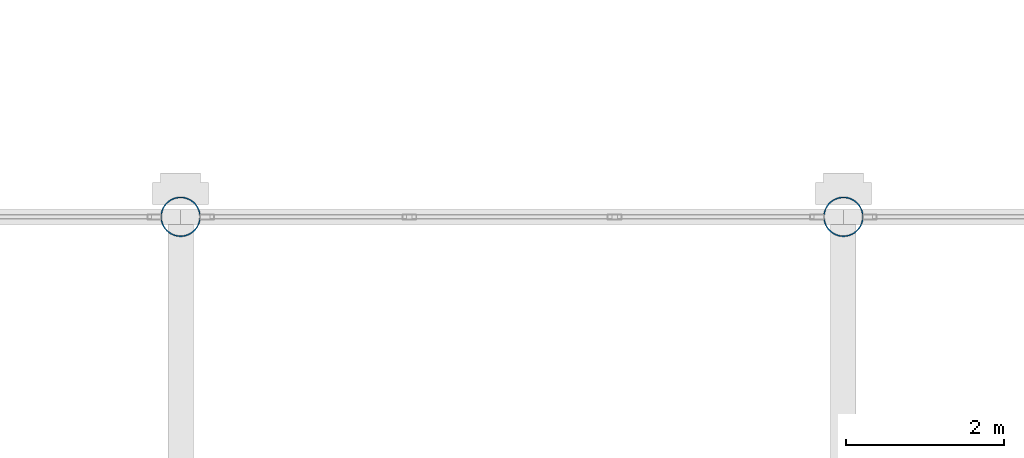
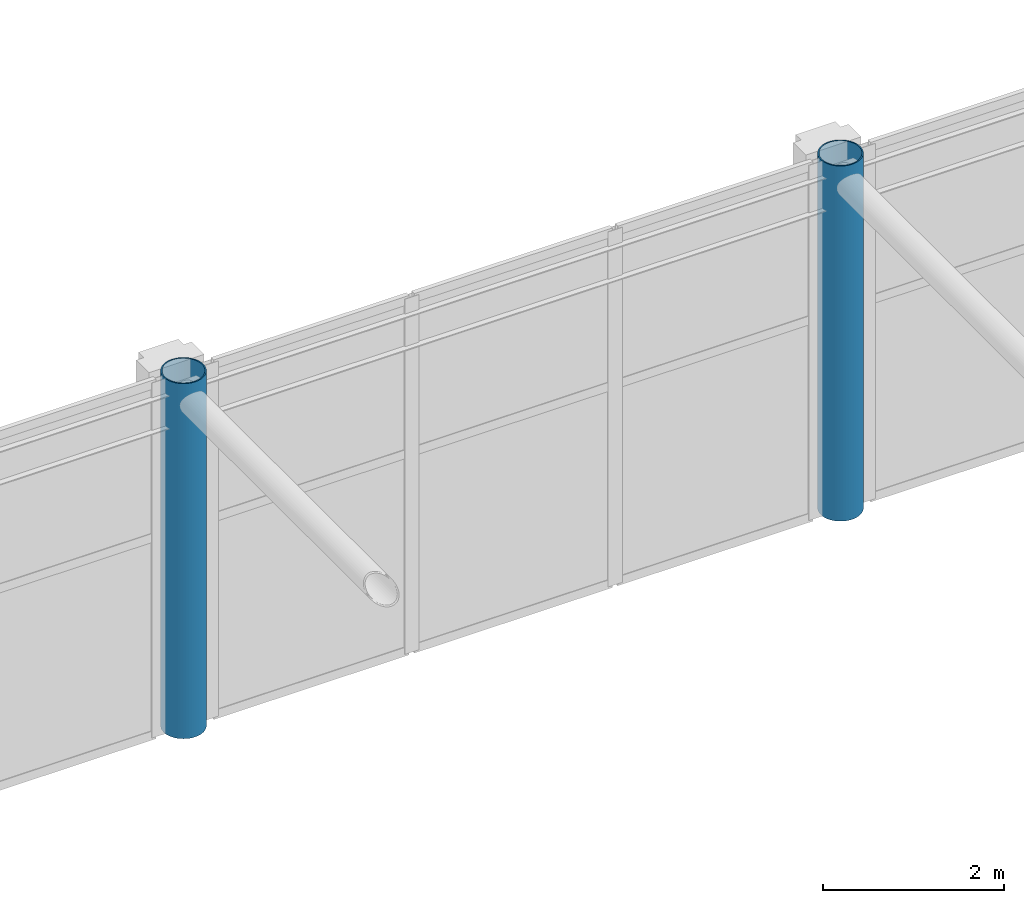
# One storey, part 7 of 167: 2 columns.
"""IFC4 building model written with IfcOpenShell, lengths in metres."""

from ifc_helpers import new_model, si_unit, direction, frame, origin, origin_2d, place, context, subcontext, project, spatial, hollow_circle, extrude, material, material_profile, profile_set, type_object, element, save


model = new_model("IFC4")

# Units and contexts
model_context = context("Model", 3, precision=1e-05, world=origin(), true_north=direction((0.0, 1.0)))
body_context = subcontext(model_context, "Body", "Model", "MODEL_VIEW")
ifc_project = project(units=[si_unit("LENGTHUNIT", "METRE"), si_unit("AREAUNIT", "SQUARE_METRE"), si_unit("VOLUMEUNIT", "CUBIC_METRE"), si_unit("PLANEANGLEUNIT", "RADIAN"), si_unit("MASSUNIT", "GRAM", prefix="KILO")], contexts=[model_context])

# Site, building, storey
site_placement = place(None, origin())
site = spatial("IfcSite", under=ifc_project, at=site_placement, CompositionType="ELEMENT")
building_placement = place(site_placement, origin())
building = spatial("IfcBuilding", under=site, at=building_placement, Name="Catenary Quay Ferry Terminal", CompositionType="ELEMENT")
storey_placement = place(building_placement, frame((0.0, 0.0, 6.0)))
storey = spatial("IfcBuildingStorey", under=building, at=storey_placement, Name="L01", CompositionType="ELEMENT", Elevation=6.0)

# Columns
ifc_material = material(Name="Steel S355", Category="steel")
ifc_material_profile = material_profile(ifc_material, hollow_circle(Radius=0.25390625, WallThickness=0.01611328125, at=origin_2d()), Name="CHS 508x16")
ifc_profile_set = profile_set([ifc_material_profile], Name="Steel S355")
column_type = type_object("IfcColumnType", Name="C4 CHS 508x16", PredefinedType="COLUMN", material=ifc_profile_set)
for number, where, z_axis, x_axis, name in (
    (1, (58.800048828125, 142.800048828125, 0.0), (0.0, 0.0, 1.0), (1.0, 0.0, 0.0), "Column C-H18 L01"),
    (2, (67.199951171875, 142.800048828125, 0.0), (0.0, 0.0, 1.0), (1.0, 0.0, 0.0), "Column C-I18 L01"),
):
    element("IfcColumn", number, at=place(storey_placement, frame(where, z_axis=z_axis, x_axis=x_axis)), inside=storey, type_object=column_type, Name=name, PredefinedType="COLUMN", context=body_context, shape_type="SweptSolid", body=[
        extrude(hollow_circle(Radius=0.25390625, WallThickness=0.01611328125, at=origin_2d()), origin(), (0.0, 0.0, 1.0), 4.800048828125),
    ])

save(model, "model.ifc")
